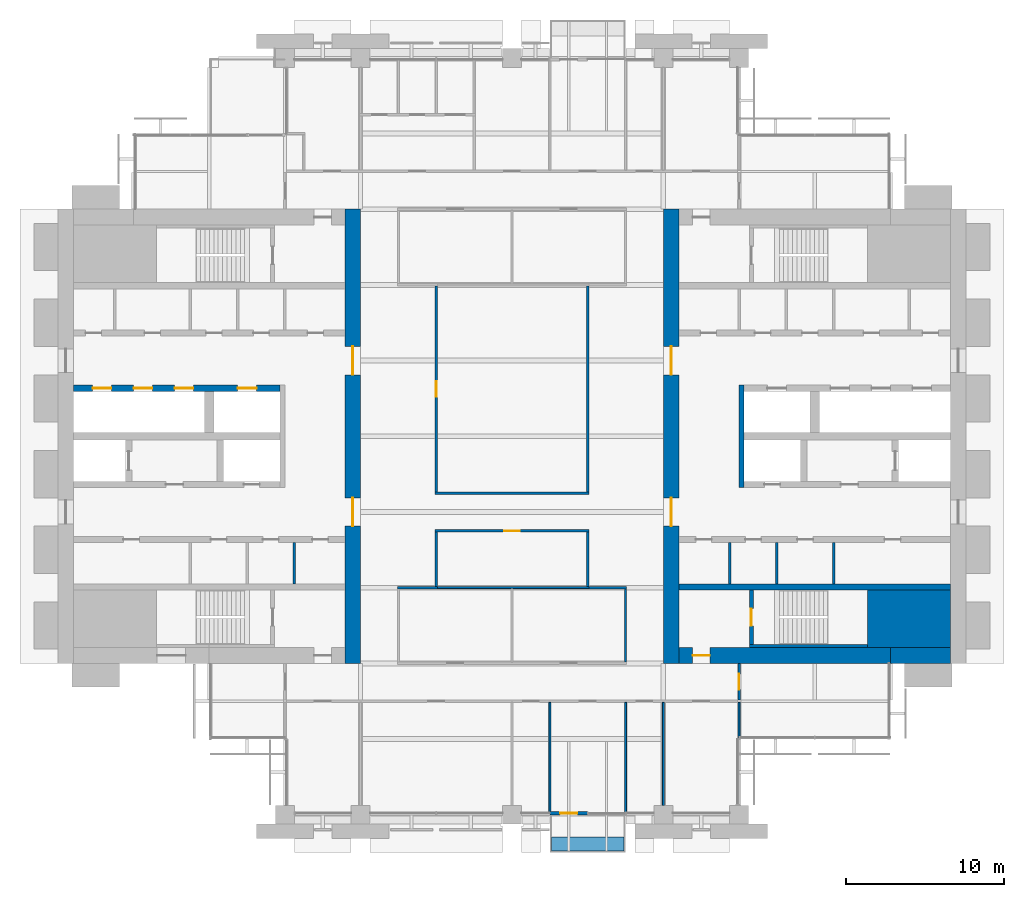
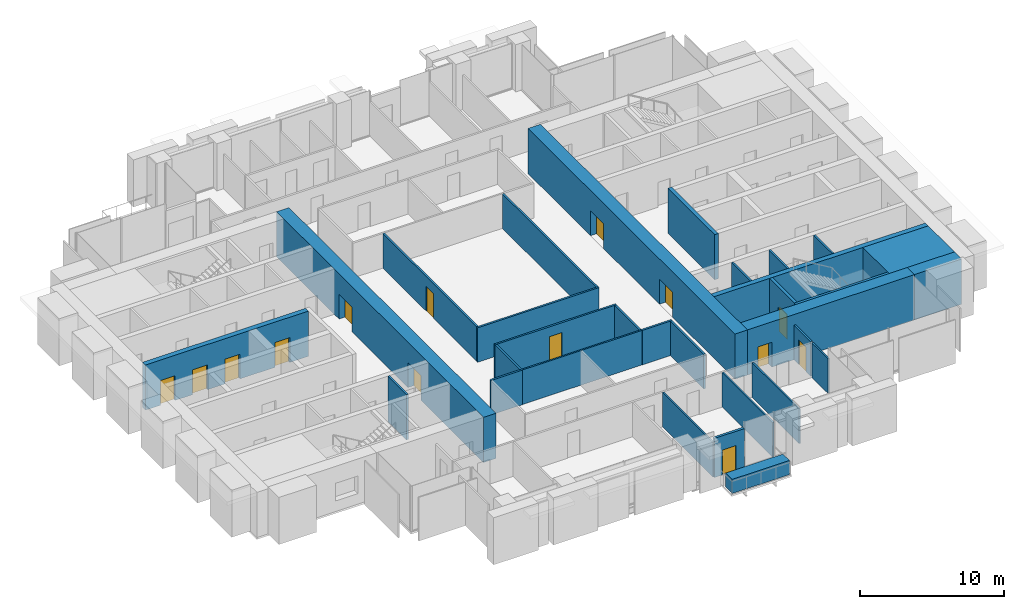
# One storey, part 10 of 15: 31 walls, 14 doors, 14 openings.
"""IFC4 building model written with IfcOpenShell, lengths in metres."""

from ifc_helpers import new_model, si_unit, direction, frame, frame_2d, origin, place, context, subcontext, project, spatial, rectangle, extrude, material, layer, layer_set, type_object, element, fill, save


model = new_model("IFC4")

# Units and contexts
model_context = context("Model", 3, precision=1e-05, world=origin(), true_north=direction((0.0, 1.0)))
body_context = subcontext(model_context, "Body", "Model", "MODEL_VIEW")
ifc_project = project(units=[si_unit("LENGTHUNIT", "METRE"), si_unit("AREAUNIT", "SQUARE_METRE"), si_unit("VOLUMEUNIT", "CUBIC_METRE"), si_unit("PLANEANGLEUNIT", "RADIAN"), si_unit("MASSUNIT", "GRAM", prefix="KILO")], contexts=[model_context])

# Site, building, storey
site_placement = place(None, origin())
site = spatial("IfcSite", under=ifc_project, at=site_placement, CompositionType="ELEMENT")
building_placement = place(site_placement, origin())
building = spatial("IfcBuilding", under=site, at=building_placement, Name="Baori Bourse Tower", CompositionType="ELEMENT")
storey_placement = place(building_placement, frame((0.0, 0.0, 116.10009765625)))
storey = spatial("IfcBuildingStorey", under=building, at=storey_placement, Name="L24", CompositionType="ELEMENT", Elevation=116.10009765625)

# Walls
ifc_material_1 = material(Name="Concrete f'c 60 MPa", Category="concrete")
wall_type_1 = type_object("IfcWallType", Name="Core corner block f'c 60", PredefinedType="SHEAR", material=ifc_material_1)
wall_1_placement = place(storey_placement, frame((51.35009765625, 12.425048828125, 0.0), z_axis=(0.0, 0.0, 1.0), x_axis=(1.0, 0.0, 0.0)))
element("IfcWall", 1, at=wall_1_placement, inside=storey, type_object=wall_type_1, Name="Core wall E05", PredefinedType="SHEAR", context=body_context, shape_type="SweptSolid", body=[
    extrude(rectangle(XDim=5.25, YDim=3.64990234375, at=frame_2d((2.625, 0.0))), origin(), (0.0, 0.0, 1.0), 3.83984375),
])
ifc_material_2 = material(Name="Blockwork partition", Category="masonry")
ifc_layer_1 = layer(ifc_material_2, 0.14990234375)
ifc_layer_set_1 = layer_set([ifc_layer_1], Name="Core partition 150")
wall_type_2 = type_object("IfcWallType", Name="Core partition 150", PredefinedType="PARTITIONING", material=ifc_layer_set_1)
for number, where, z_axis, x_axis, name in (
    (2, (15.0, 14.64990234375, 0.0), (0.0, 0.0, 1.0), (0.0, 1.0, 0.0), "Partition wall W12"),
    (3, (49.199951171875, 14.64990234375, 0.0), (0.0, 0.0, 1.0), (0.0, 1.0, 0.0), "Partition wall E09"),
    (4, (45.60009765625, 14.64990234375, 0.0), (0.0, 0.0, 1.0), (0.0, 1.0, 0.0), "Partition wall E10"),
    (5, (42.60009765625, 14.64990234375, 0.0), (0.0, 0.0, 1.0), (0.0, 1.0, 0.0), "Partition wall E11"),
):
    element("IfcWall", number, at=place(storey_placement, frame(where, z_axis=z_axis, x_axis=x_axis)), inside=storey, type_object=wall_type_2, Name=name, PredefinedType="PARTITIONING", context=body_context, shape_type="SweptSolid", body=[
        extrude(rectangle(XDim=2.60009765625, YDim=0.14990234375, at=frame_2d((1.300048828125, 0.0))), origin(), (0.0, 0.0, 1.0), 3.83984375),
    ])

# Wall, openings, doors
ifc_material_3 = material(Name="Concrete f'c 60 MPa", Category="concrete")
ifc_layer_2 = layer(ifc_material_3, 1.0)
ifc_layer_set_2 = layer_set([ifc_layer_2], Name="Core wall 1000 f'c 60")
wall_type_3 = type_object("IfcWallType", Name="Core wall 1000 f'c 60", PredefinedType="SHEAR", material=ifc_layer_set_2)
wall_2_placement = place(storey_placement, frame((18.699951171875, 38.39990234375, 0.0), z_axis=(0.0, 0.0, 1.0), x_axis=(0.0, -1.0, 0.0)))
wall_2 = element("IfcWall", 6, at=wall_2_placement, inside=storey, type_object=wall_type_3, Name="Core wall W04", PredefinedType="SHEAR", context=body_context, shape_type="SweptSolid", body=[
    extrude(rectangle(XDim=28.7998046875, YDim=1.0, at=frame_2d((14.39990234375, 0.0))), origin(), (0.0, 0.0, 1.0), 3.83984375),
])
opening_1_placement = place(wall_2_placement, frame((18.300048828125, 0.0, 0.0)))
opening_1 = element("IfcOpeningElement", 7, at=opening_1_placement, cuts=wall_2, Name="Opening L24-D107", PredefinedType="OPENING", context=body_context, shape_type="SweptSolid", body=[
    extrude(rectangle(XDim=1.800048828125, YDim=2.10009765625, at=frame_2d((0.89990234375, 1.050048828125))), frame((0.0, 0.510009765625, 0.0), z_axis=(0.0, -1.0, 0.0), x_axis=(1.0, 0.0, 0.0)), (0.0, 0.0, 1.0), 1.02001953125),
])
opening_2_placement = place(wall_2_placement, frame((8.699951171875, 0.0, 0.0)))
opening_2 = element("IfcOpeningElement", 8, at=opening_2_placement, cuts=wall_2, Name="Opening L24-D108", PredefinedType="OPENING", context=body_context, shape_type="SweptSolid", body=[
    extrude(rectangle(XDim=1.800048828125, YDim=2.10009765625, at=frame_2d((0.89990234375, 1.050048828125))), frame((0.0, 0.510009765625, 0.0), z_axis=(0.0, -1.0, 0.0), x_axis=(1.0, 0.0, 0.0)), (0.0, 0.0, 1.0), 1.02001953125),
])
ifc_material_4 = material(Name="Painted steel door", Category="steel")
door_type_1 = type_object("IfcDoorType", Name="Core lobby door 1800", OperationType="DOUBLE_DOOR_SINGLE_SWING", PredefinedType="DOOR", material=ifc_material_4)
door_1_placement = place(opening_1_placement, origin())
door_1 = element("IfcDoor", 9, at=door_1_placement, inside=storey, type_object=door_type_1, Name="Lobby door W L24", OperationType="DOUBLE_DOOR_SINGLE_SWING", OverallHeight=2.10009765625, OverallWidth=1.800048828125, PredefinedType="DOOR", context=body_context, shape_type="SweptSolid", body=[
    extrude(rectangle(XDim=1.800048828125, YDim=2.10009765625, at=frame_2d((0.89990234375, 1.050048828125))), frame((0.0, 0.02490234375, 0.0), z_axis=(0.0, -1.0, 0.0), x_axis=(1.0, 0.0, 0.0)), (0.0, 0.0, 1.0), 0.050048828125),
])
fill(opening_1, door_1)
door_2_placement = place(opening_2_placement, origin())
door_2 = element("IfcDoor", 10, at=door_2_placement, inside=storey, type_object=door_type_1, Name="Lobby door W L24", OperationType="DOUBLE_DOOR_SINGLE_SWING", OverallHeight=2.10009765625, OverallWidth=1.800048828125, PredefinedType="DOOR", context=body_context, shape_type="SweptSolid", body=[
    extrude(rectangle(XDim=1.800048828125, YDim=2.10009765625, at=frame_2d((0.89990234375, 1.050048828125))), frame((0.0, 0.02490234375, 0.0), z_axis=(0.0, -1.0, 0.0), x_axis=(1.0, 0.0, 0.0)), (0.0, 0.0, 1.0), 0.050048828125),
])
fill(opening_2, door_2)

# Wall
wall_3_placement = place(storey_placement, frame((56.60009765625, 10.10009765625, 0.0), z_axis=(0.0, 0.0, 1.0), x_axis=(-1.0, 0.0, 0.0)))
element("IfcWall", 11, at=wall_3_placement, inside=storey, type_object=wall_type_3, Name="Core wall E02", PredefinedType="SHEAR", context=body_context, shape_type="SweptSolid", body=[
    extrude(rectangle(XDim=3.800048828125, YDim=1.0, at=frame_2d((1.89990234375, 0.0))), origin(), (0.0, 0.0, 1.0), 3.83984375),
])

# Wall, opening, door
wall_4_placement = place(storey_placement, frame((52.800048828125, 10.10009765625, 0.0), z_axis=(0.0, 0.0, 1.0), x_axis=(-1.0, 0.0, 0.0)))
wall_4 = element("IfcWall", 12, at=wall_4_placement, inside=storey, type_object=wall_type_3, Name="Core wall E03", PredefinedType="SHEAR", context=body_context, shape_type="SweptSolid", body=[
    extrude(rectangle(XDim=13.400146484375, YDim=1.0, at=frame_2d((6.7001953125, 0.0))), origin(), (0.0, 0.0, 1.0), 3.83984375),
])
opening_3_placement = place(wall_4_placement, frame((11.449951171875, 0.0, 0.0)))
opening_3 = element("IfcOpeningElement", 13, at=opening_3_placement, cuts=wall_4, Name="Opening L24-D202", PredefinedType="OPENING", context=body_context, shape_type="SweptSolid", body=[
    extrude(rectangle(XDim=1.10009765625, YDim=2.10009765625, at=frame_2d((0.550048828125, 1.050048828125))), frame((0.0, 0.510009765625, 0.0), z_axis=(0.0, -1.0, 0.0), x_axis=(1.0, 0.0, 0.0)), (0.0, 0.0, 1.0), 1.02001953125),
])
ifc_material_5 = material(Name="Painted steel door", Category="steel")
door_type_2 = type_object("IfcDoorType", Name="Stair door 1100", OperationType="SINGLE_SWING_LEFT", PredefinedType="DOOR", material=ifc_material_5)
door_3_placement = place(opening_3_placement, origin())
door_3 = element("IfcDoor", 14, at=door_3_placement, inside=storey, type_object=door_type_2, Name="Stair vestibule door A E L24", OperationType="SINGLE_SWING_LEFT", OverallHeight=2.10009765625, OverallWidth=1.10009765625, PredefinedType="DOOR", context=body_context, shape_type="SweptSolid", body=[
    extrude(rectangle(XDim=1.10009765625, YDim=2.10009765625, at=frame_2d((0.550048828125, 1.050048828125))), frame((0.0, 0.02490234375, 0.0), z_axis=(0.0, -1.0, 0.0), x_axis=(1.0, 0.0, 0.0)), (0.0, 0.0, 1.0), 0.050048828125),
])
fill(opening_3, door_3)

# Wall, openings, doors
wall_5_placement = place(storey_placement, frame((38.89990234375, 9.60009765625, 0.0), z_axis=(0.0, 0.0, 1.0), x_axis=(0.0, 1.0, 0.0)))
wall_5 = element("IfcWall", 15, at=wall_5_placement, inside=storey, type_object=wall_type_3, Name="Core wall E04", PredefinedType="SHEAR", context=body_context, shape_type="SweptSolid", body=[
    extrude(rectangle(XDim=28.7998046875, YDim=1.0, at=frame_2d((14.39990234375, 0.0))), origin(), (0.0, 0.0, 1.0), 3.83984375),
])
opening_4_placement = place(wall_5_placement, frame((8.699951171875, 0.0, 0.0)))
opening_4 = element("IfcOpeningElement", 16, at=opening_4_placement, cuts=wall_5, Name="Opening L24-D207", PredefinedType="OPENING", context=body_context, shape_type="SweptSolid", body=[
    extrude(rectangle(XDim=1.800048828125, YDim=2.10009765625, at=frame_2d((0.89990234375, 1.050048828125))), frame((0.0, 0.510009765625, 0.0), z_axis=(0.0, -1.0, 0.0), x_axis=(1.0, 0.0, 0.0)), (0.0, 0.0, 1.0), 1.02001953125),
])
opening_5_placement = place(wall_5_placement, frame((18.300048828125, 0.0, 0.0)))
opening_5 = element("IfcOpeningElement", 17, at=opening_5_placement, cuts=wall_5, Name="Opening L24-D208", PredefinedType="OPENING", context=body_context, shape_type="SweptSolid", body=[
    extrude(rectangle(XDim=1.800048828125, YDim=2.10009765625, at=frame_2d((0.89990234375, 1.050048828125))), frame((0.0, 0.510009765625, 0.0), z_axis=(0.0, -1.0, 0.0), x_axis=(1.0, 0.0, 0.0)), (0.0, 0.0, 1.0), 1.02001953125),
])
door_4_placement = place(opening_4_placement, origin())
door_4 = element("IfcDoor", 18, at=door_4_placement, inside=storey, type_object=door_type_1, Name="Lobby door E L24", OperationType="DOUBLE_DOOR_SINGLE_SWING", OverallHeight=2.10009765625, OverallWidth=1.800048828125, PredefinedType="DOOR", context=body_context, shape_type="SweptSolid", body=[
    extrude(rectangle(XDim=1.800048828125, YDim=2.10009765625, at=frame_2d((0.89990234375, 1.050048828125))), frame((0.0, 0.02490234375, 0.0), z_axis=(0.0, -1.0, 0.0), x_axis=(1.0, 0.0, 0.0)), (0.0, 0.0, 1.0), 0.050048828125),
])
fill(opening_4, door_4)
door_5_placement = place(opening_5_placement, origin())
door_5 = element("IfcDoor", 19, at=door_5_placement, inside=storey, type_object=door_type_1, Name="Lobby door E L24", OperationType="DOUBLE_DOOR_SINGLE_SWING", OverallHeight=2.10009765625, OverallWidth=1.800048828125, PredefinedType="DOOR", context=body_context, shape_type="SweptSolid", body=[
    extrude(rectangle(XDim=1.800048828125, YDim=2.10009765625, at=frame_2d((0.89990234375, 1.050048828125))), frame((0.0, 0.02490234375, 0.0), z_axis=(0.0, -1.0, 0.0), x_axis=(1.0, 0.0, 0.0)), (0.0, 0.0, 1.0), 0.050048828125),
])
fill(opening_5, door_5)

# Walls
ifc_material_6 = material(Name="Gypsum board partition")
ifc_layer_3 = layer(ifc_material_6, 0.14990234375)
ifc_layer_set_3 = layer_set([ifc_layer_3], Name="Corridor partition 150")
wall_type_4 = type_object("IfcWallType", Name="Corridor partition 150", PredefinedType="PARTITIONING", material=ifc_layer_set_3)
wall_6_placement = place(storey_placement, frame((21.52490234375, 14.39990234375, 0.0), z_axis=(0.0, 0.0, 1.0), x_axis=(1.0, 0.0, 0.0)))
element("IfcWall", 20, at=wall_6_placement, inside=storey, type_object=wall_type_4, Name="Partition", PredefinedType="PARTITIONING", context=body_context, shape_type="SweptSolid", body=[
    extrude(rectangle(XDim=2.550048828125, YDim=0.14990234375, at=frame_2d((1.27490234375, 0.0))), origin(), (0.0, 0.0, 1.0), 2.935546875),
])
wall_7_placement = place(storey_placement, frame((33.675048828125, 14.39990234375, 0.0), z_axis=(0.0, 0.0, 1.0), x_axis=(1.0, 0.0, 0.0)))
element("IfcWall", 21, at=wall_7_placement, inside=storey, type_object=wall_type_4, Name="Partition", PredefinedType="PARTITIONING", context=body_context, shape_type="SweptSolid", body=[
    extrude(rectangle(XDim=2.39990234375, YDim=0.14990234375, at=frame_2d((1.199951171875, 0.0))), origin(), (0.0, 0.0, 1.0), 2.935546875),
])

# Wall, opening, door
wall_8_placement = place(storey_placement, frame((23.925048828125, 18.0, 0.0), z_axis=(0.0, 0.0, 1.0), x_axis=(1.0, 0.0, 0.0)))
wall_8 = element("IfcWall", 22, at=wall_8_placement, inside=storey, type_object=wall_type_4, Name="Partition", PredefinedType="PARTITIONING", context=body_context, shape_type="SweptSolid", body=[
    extrude(rectangle(XDim=9.75, YDim=0.14990234375, at=frame_2d((4.875, 0.0))), origin(), (0.0, 0.0, 1.0), 2.935546875),
])
opening_6_placement = place(wall_8_placement, frame((4.375, 0.0, 0.0)))
opening_6 = element("IfcOpeningElement", 23, at=opening_6_placement, cuts=wall_8, Name="Opening L24-D09", PredefinedType="OPENING", context=body_context, shape_type="SweptSolid", body=[
    extrude(rectangle(XDim=1.0, YDim=2.10009765625, at=frame_2d((0.5, 1.050048828125))), frame((0.0, 0.0849609375, 0.0), z_axis=(0.0, -1.0, 0.0), x_axis=(1.0, 0.0, 0.0)), (0.0, 0.0, 1.0), 0.169921875),
])
ifc_material_7 = material(Name="Timber door leaf", Category="wood")
door_type_3 = type_object("IfcDoorType", Name="Door 1000 x 2100", OperationType="SINGLE_SWING_LEFT", PredefinedType="DOOR", material=ifc_material_7)
door_6_placement = place(opening_6_placement, origin())
door_6 = element("IfcDoor", 24, at=door_6_placement, inside=storey, type_object=door_type_3, Name="Door", OperationType="SINGLE_SWING_RIGHT", OverallHeight=2.10009765625, OverallWidth=1.0, PredefinedType="DOOR", context=body_context, shape_type="SweptSolid", body=[
    extrude(rectangle(XDim=1.0, YDim=2.10009765625, at=frame_2d((0.5, 1.050048828125))), frame((0.0, 0.02490234375, 0.0), z_axis=(0.0, -1.0, 0.0), x_axis=(1.0, 0.0, 0.0)), (0.0, 0.0, 1.0), 0.050048828125),
])
fill(opening_6, door_6)

# Walls
wall_9_placement = place(storey_placement, frame((23.925048828125, 20.39990234375, 0.0), z_axis=(0.0, 0.0, 1.0), x_axis=(1.0, 0.0, 0.0)))
element("IfcWall", 25, at=wall_9_placement, inside=storey, type_object=wall_type_4, Name="Partition", PredefinedType="PARTITIONING", context=body_context, shape_type="SweptSolid", body=[
    extrude(rectangle(XDim=9.75, YDim=0.14990234375, at=frame_2d((4.875, 0.0))), origin(), (0.0, 0.0, 1.0), 2.935546875),
])
wall_10_placement = place(storey_placement, frame((24.0, 14.47509765625, 0.0), z_axis=(0.0, 0.0, 1.0), x_axis=(0.0, 1.0, 0.0)))
element("IfcWall", 26, at=wall_10_placement, inside=storey, type_object=wall_type_4, Name="Partition", PredefinedType="PARTITIONING", context=body_context, shape_type="SweptSolid", body=[
    extrude(rectangle(XDim=3.449951171875, YDim=0.14990234375, at=frame_2d((1.72509765625, 0.0))), origin(), (0.0, 0.0, 1.0), 2.935546875),
])

# Wall, opening, door
wall_11_placement = place(storey_placement, frame((24.0, 20.47509765625, 0.0), z_axis=(0.0, 0.0, 1.0), x_axis=(0.0, 1.0, 0.0)))
wall_11 = element("IfcWall", 27, at=wall_11_placement, inside=storey, type_object=wall_type_4, Name="Partition", PredefinedType="PARTITIONING", context=body_context, shape_type="SweptSolid", body=[
    extrude(rectangle(XDim=13.0498046875, YDim=0.14990234375, at=frame_2d((6.52490234375, 0.0))), origin(), (0.0, 0.0, 1.0), 2.935546875),
])
opening_7_placement = place(wall_11_placement, frame((6.02490234375, 0.0, 0.0)))
opening_7 = element("IfcOpeningElement", 28, at=opening_7_placement, cuts=wall_11, Name="Opening L24-D23", PredefinedType="OPENING", context=body_context, shape_type="SweptSolid", body=[
    extrude(rectangle(XDim=1.0, YDim=2.10009765625, at=frame_2d((0.5, 1.050048828125))), frame((0.0, 0.0849609375, 0.0), z_axis=(0.0, -1.0, 0.0), x_axis=(1.0, 0.0, 0.0)), (0.0, 0.0, 1.0), 0.169921875),
])
door_7_placement = place(opening_7_placement, origin())
door_7 = element("IfcDoor", 29, at=door_7_placement, inside=storey, type_object=door_type_3, Name="Door", OperationType="SINGLE_SWING_LEFT", OverallHeight=2.10009765625, OverallWidth=1.0, PredefinedType="DOOR", context=body_context, shape_type="SweptSolid", body=[
    extrude(rectangle(XDim=1.0, YDim=2.10009765625, at=frame_2d((0.5, 1.050048828125))), frame((0.0, 0.02490234375, 0.0), z_axis=(0.0, -1.0, 0.0), x_axis=(1.0, 0.0, 0.0)), (0.0, 0.0, 1.0), 0.050048828125),
])
fill(opening_7, door_7)

# Walls
wall_12_placement = place(storey_placement, frame((33.60009765625, 14.47509765625, 0.0), z_axis=(0.0, 0.0, 1.0), x_axis=(0.0, 1.0, 0.0)))
element("IfcWall", 30, at=wall_12_placement, inside=storey, type_object=wall_type_4, Name="Partition", PredefinedType="PARTITIONING", context=body_context, shape_type="SweptSolid", body=[
    extrude(rectangle(XDim=3.449951171875, YDim=0.14990234375, at=frame_2d((1.72509765625, 0.0))), origin(), (0.0, 0.0, 1.0), 2.935546875),
])
wall_13_placement = place(storey_placement, frame((33.60009765625, 20.47509765625, 0.0), z_axis=(0.0, 0.0, 1.0), x_axis=(0.0, 1.0, 0.0)))
element("IfcWall", 31, at=wall_13_placement, inside=storey, type_object=wall_type_4, Name="Partition", PredefinedType="PARTITIONING", context=body_context, shape_type="SweptSolid", body=[
    extrude(rectangle(XDim=13.0498046875, YDim=0.14990234375, at=frame_2d((6.52490234375, 0.0))), origin(), (0.0, 0.0, 1.0), 2.935546875),
])
wall_14_placement = place(storey_placement, frame((36.0, 9.675048828125, 0.0), z_axis=(0.0, 0.0, 1.0), x_axis=(0.0, 1.0, 0.0)))
element("IfcWall", 32, at=wall_14_placement, inside=storey, type_object=wall_type_4, Name="Partition", PredefinedType="PARTITIONING", context=body_context, shape_type="SweptSolid", body=[
    extrude(rectangle(XDim=4.64990234375, YDim=0.14990234375, at=frame_2d((2.324951171875, 0.0))), origin(), (0.0, 0.0, 1.0), 2.935546875),
])

# Wall, opening, door
wall_15_placement = place(storey_placement, frame((43.199951171875, 7.27490234375, 0.0), z_axis=(0.0, 0.0, 1.0), x_axis=(0.0, 1.0, 0.0)))
wall_15 = element("IfcWall", 33, at=wall_15_placement, inside=storey, type_object=wall_type_4, Name="Partition", PredefinedType="PARTITIONING", context=body_context, shape_type="SweptSolid", body=[
    extrude(rectangle(XDim=2.3251953125, YDim=0.14990234375, at=frame_2d((1.16259765625, 0.0))), origin(), (0.0, 0.0, 1.0), 2.935546875),
])
opening_8_placement = place(wall_15_placement, frame((0.66259765625, 0.0, 0.0)))
opening_8 = element("IfcOpeningElement", 34, at=opening_8_placement, cuts=wall_15, Name="Opening L24-D24", PredefinedType="OPENING", context=body_context, shape_type="SweptSolid", body=[
    extrude(rectangle(XDim=1.0, YDim=2.10009765625, at=frame_2d((0.5, 1.050048828125))), frame((0.0, 0.0849609375, 0.0), z_axis=(0.0, -1.0, 0.0), x_axis=(1.0, 0.0, 0.0)), (0.0, 0.0, 1.0), 0.169921875),
])
door_8_placement = place(opening_8_placement, origin())
door_8 = element("IfcDoor", 35, at=door_8_placement, inside=storey, type_object=door_type_3, Name="Door", OperationType="SINGLE_SWING_LEFT", OverallHeight=2.10009765625, OverallWidth=1.0, PredefinedType="DOOR", context=body_context, shape_type="SweptSolid", body=[
    extrude(rectangle(XDim=1.0, YDim=2.10009765625, at=frame_2d((0.5, 1.050048828125))), frame((0.0, 0.02490234375, 0.0), z_axis=(0.0, -1.0, 0.0), x_axis=(1.0, 0.0, 0.0)), (0.0, 0.0, 1.0), 0.050048828125),
])
fill(opening_8, door_8)

ifc_material_8 = material(Name="Pale anodised aluminium", Category="aluminium")
ifc_layer_4 = layer(ifc_material_8, 0.199951171875)
ifc_layer_set_4 = layer_set([ifc_layer_4], Name="EW1 External wall bay")
wall_type_5 = type_object("IfcWallType", Name="EW1 External wall bay", PredefinedType="SOLIDWALL", material=ifc_layer_set_4)
wall_16_placement = place(storey_placement, frame((31.199951171875, 0.10009765625, 0.0), z_axis=(0.0, 0.0, 1.0), x_axis=(1.0, 0.0, 0.0)))
wall_16 = element("IfcWall", 36, at=wall_16_placement, inside=storey, type_object=wall_type_5, Name="External wall bay L24 3", PredefinedType="SOLIDWALL", context=body_context, shape_type="SweptSolid", body=[
    extrude(rectangle(XDim=2.400146484375, YDim=0.199951171875, at=frame_2d((1.2001953125, 0.0))), origin(), (0.0, 0.0, 1.0), 3.314208984375),
])
opening_9_placement = place(wall_16_placement, frame((0.64990234375, 0.0, 0.0)))
opening_9 = element("IfcOpeningElement", 37, at=opening_9_placement, cuts=wall_16, Name="Opening L24-D93", PredefinedType="OPENING", context=body_context, shape_type="SweptSolid", body=[
    extrude(rectangle(XDim=1.10009765625, YDim=2.10009765625, at=frame_2d((0.550048828125, 1.050048828125))), frame((0.0, 0.10986328125, 0.0), z_axis=(0.0, -1.0, 0.0), x_axis=(1.0, 0.0, 0.0)), (0.0, 0.0, 1.0), 0.219970703125),
])
ifc_material_9 = material(Name="Pale anodised aluminium", Category="aluminium")
door_type_4 = type_object("IfcDoorType", Name="BL1 Balcony door", OperationType="SINGLE_SWING_LEFT", PredefinedType="DOOR", material=ifc_material_9)
door_9_placement = place(opening_9_placement, origin())
door_9 = element("IfcDoor", 38, at=door_9_placement, inside=storey, type_object=door_type_4, Name="Balcony door L24 3", OperationType="SINGLE_SWING_LEFT", OverallHeight=2.10009765625, OverallWidth=1.10009765625, PredefinedType="DOOR", context=body_context, shape_type="SweptSolid", body=[
    extrude(rectangle(XDim=1.10009765625, YDim=2.10009765625, at=frame_2d((0.550048828125, 1.050048828125))), frame((0.0, 0.02490234375, 0.0), z_axis=(0.0, -1.0, 0.0), x_axis=(1.0, 0.0, 0.0)), (0.0, 0.0, 1.0), 0.050048828125),
])
fill(opening_9, door_9)

# Walls
ifc_material_10 = material(Name="Concrete f'c 40 MPa", Category="concrete")
ifc_layer_5 = layer(ifc_material_10, 0.89990234375)
ifc_layer_set_5 = layer_set([ifc_layer_5], Name="PW1 Planter wall")
wall_type_6 = type_object("IfcWallType", Name="PW1 Planter wall", PredefinedType="USERDEFINED", material=ifc_layer_set_5)
wall_17_placement = place(storey_placement, frame((31.300048828125, -1.85009765625, 0.0), z_axis=(0.0, 0.0, 1.0), x_axis=(1.0, 0.0, 0.0)))
element("IfcWall", 39, at=wall_17_placement, inside=storey, type_object=wall_type_6, Name="Planter balcony S L24 1", ObjectType="PLANTER", PredefinedType="USERDEFINED", context=body_context, shape_type="SweptSolid", body=[
    extrude(rectangle(XDim=4.599853515625, YDim=0.89990234375, at=frame_2d((2.2998046875, 0.0))), origin(), (0.0, 0.0, 1.0), 1.199951171875),
])
ifc_material_11 = material(Name="Gypsum board partition")
ifc_layer_6 = layer(ifc_material_11, 0.125)
ifc_layer_set_6 = layer_set([ifc_layer_6], Name="Partition 125")
wall_type_7 = type_object("IfcWallType", Name="Partition 125", PredefinedType="PARTITIONING", material=ifc_layer_set_6)
wall_18_placement = place(storey_placement, frame((24.074951171875, 14.39990234375, 0.0), z_axis=(0.0, 0.0, 1.0), x_axis=(1.0, 0.0, 0.0)))
element("IfcWall", 40, at=wall_18_placement, inside=storey, type_object=wall_type_7, Name="Partition", PredefinedType="PARTITIONING", context=body_context, shape_type="SweptSolid", body=[
    extrude(rectangle(XDim=9.60009765625, YDim=0.125, at=frame_2d((4.800048828125, 0.0))), origin(), (0.0, 0.0, 1.0), 2.935546875),
])
for number, where, z_axis, x_axis, name in (
    (41, (31.199951171875, 0.10009765625, 0.0), (0.0, 0.0, 1.0), (0.0, 1.0, 0.0), "Partition"),
    (42, (36.0, 0.10009765625, 0.0), (0.0, 0.0, 1.0), (0.0, 1.0, 0.0), "Partition"),
):
    element("IfcWall", number, at=place(storey_placement, frame(where, z_axis=z_axis, x_axis=x_axis)), inside=storey, type_object=wall_type_7, Name=name, PredefinedType="PARTITIONING", context=body_context, shape_type="SweptSolid", body=[
        extrude(rectangle(XDim=7.02490234375, YDim=0.125, at=frame_2d((3.512451171875, 0.0))), origin(), (0.0, 0.0, 1.0), 2.935546875),
    ])
wall_19_placement = place(storey_placement, frame((38.39990234375, 0.60009765625, 0.0), z_axis=(0.0, 0.0, 1.0), x_axis=(0.0, 1.0, 0.0)))
element("IfcWall", 43, at=wall_19_placement, inside=storey, type_object=wall_type_7, Name="Partition", PredefinedType="PARTITIONING", context=body_context, shape_type="SweptSolid", body=[
    extrude(rectangle(XDim=6.52490234375, YDim=0.125, at=frame_2d((3.262451171875, 0.0))), origin(), (0.0, 0.0, 1.0), 2.935546875),
])
wall_20_placement = place(storey_placement, frame((43.199951171875, 4.89990234375, 0.0), z_axis=(0.0, 0.0, 1.0), x_axis=(0.0, 1.0, 0.0)))
element("IfcWall", 44, at=wall_20_placement, inside=storey, type_object=wall_type_7, Name="Partition", PredefinedType="PARTITIONING", context=body_context, shape_type="SweptSolid", body=[
    extrude(rectangle(XDim=2.22509765625, YDim=0.125, at=frame_2d((1.112548828125, 0.0))), origin(), (0.0, 0.0, 1.0), 2.935546875),
])
ifc_material_12 = material(Name="Concrete f'c 60 MPa", Category="concrete")
ifc_layer_7 = layer(ifc_material_12, 0.199951171875)
ifc_layer_set_7 = layer_set([ifc_layer_7], Name="Shaft wall 200 f'c 60")
wall_type_8 = type_object("IfcWallType", Name="Shaft wall 200 f'c 60", PredefinedType="SHEAR", material=ifc_layer_set_7)
wall_21_placement = place(storey_placement, frame((43.85009765625, 10.699951171875, 0.0), z_axis=(0.0, 0.0, 1.0), x_axis=(1.0, 0.0, 0.0)))
element("IfcWall", 45, at=wall_21_placement, inside=storey, type_object=wall_type_8, Name="Core wall E06", PredefinedType="SHEAR", context=body_context, shape_type="SweptSolid", body=[
    extrude(rectangle(XDim=7.5, YDim=0.199951171875, at=frame_2d((3.75, 0.0))), origin(), (0.0, 0.0, 1.0), 3.83984375),
])

# Wall, opening, door
ifc_material_13 = material(Name="Concrete f'c 60 MPa", Category="concrete")
ifc_layer_8 = layer(ifc_material_13, 0.25)
ifc_layer_set_8 = layer_set([ifc_layer_8], Name="Shaft wall 250 f'c 60")
wall_type_9 = type_object("IfcWallType", Name="Shaft wall 250 f'c 60", PredefinedType="SHEAR", material=ifc_layer_set_8)
wall_22_placement = place(storey_placement, frame((43.97509765625, 10.800048828125, 0.0), z_axis=(0.0, 0.0, 1.0), x_axis=(0.0, 1.0, 0.0)))
wall_22 = element("IfcWall", 46, at=wall_22_placement, inside=storey, type_object=wall_type_9, Name="Core wall E07", PredefinedType="SHEAR", context=body_context, shape_type="SweptSolid", body=[
    extrude(rectangle(XDim=3.449951171875, YDim=0.25, at=frame_2d((1.72509765625, 0.0))), origin(), (0.0, 0.0, 1.0), 3.83984375),
])
opening_10_placement = place(wall_22_placement, frame((1.175048828125, 0.0, 0.0)))
opening_10 = element("IfcOpeningElement", 47, at=opening_10_placement, cuts=wall_22, Name="Opening L24-D201", PredefinedType="OPENING", context=body_context, shape_type="SweptSolid", body=[
    extrude(rectangle(XDim=1.10009765625, YDim=2.10009765625, at=frame_2d((0.550048828125, 1.050048828125))), frame((0.0, 0.135009765625, 0.0), z_axis=(0.0, -1.0, 0.0), x_axis=(1.0, 0.0, 0.0)), (0.0, 0.0, 1.0), 0.27001953125),
])
door_10_placement = place(opening_10_placement, origin())
door_10 = element("IfcDoor", 48, at=door_10_placement, inside=storey, type_object=door_type_2, Name="Stair door A E L24", OperationType="SINGLE_SWING_LEFT", OverallHeight=2.10009765625, OverallWidth=1.10009765625, PredefinedType="DOOR", context=body_context, shape_type="SweptSolid", body=[
    extrude(rectangle(XDim=1.10009765625, YDim=2.10009765625, at=frame_2d((0.550048828125, 1.050048828125))), frame((0.0, 0.02490234375, 0.0), z_axis=(0.0, -1.0, 0.0), x_axis=(1.0, 0.0, 0.0)), (0.0, 0.0, 1.0), 0.050048828125),
])
fill(opening_10, door_10)

# Wall
ifc_material_14 = material(Name="Concrete f'c 60 MPa", Category="concrete")
ifc_layer_9 = layer(ifc_material_14, 0.300048828125)
ifc_layer_set_9 = layer_set([ifc_layer_9], Name="Shaft wall 300 f'c 60")
wall_type_10 = type_object("IfcWallType", Name="Shaft wall 300 f'c 60", PredefinedType="SHEAR", material=ifc_layer_set_9)
wall_23_placement = place(storey_placement, frame((43.35009765625, 20.75, 0.0), z_axis=(0.0, 0.0, 1.0), x_axis=(0.0, 1.0, 0.0)))
element("IfcWall", 49, at=wall_23_placement, inside=storey, type_object=wall_type_10, Name="Core wall E14", PredefinedType="SHEAR", context=body_context, shape_type="SweptSolid", body=[
    extrude(rectangle(XDim=6.5, YDim=0.300048828125, at=frame_2d((3.25, 0.0))), origin(), (0.0, 0.0, 1.0), 3.83984375),
])

# Wall, openings, doors
ifc_material_15 = material(Name="Concrete f'c 60 MPa", Category="concrete")
ifc_layer_10 = layer(ifc_material_15, 0.39990234375)
ifc_layer_set_10 = layer_set([ifc_layer_10], Name="Shaft wall 400 f'c 60")
wall_type_11 = type_object("IfcWallType", Name="Shaft wall 400 f'c 60", PredefinedType="SHEAR", material=ifc_layer_set_10)
wall_24_placement = place(storey_placement, frame((1.0, 27.050048828125, 0.0), z_axis=(0.0, 0.0, 1.0), x_axis=(1.0, 0.0, 0.0)))
wall_24 = element("IfcWall", 50, at=wall_24_placement, inside=storey, type_object=wall_type_11, Name="Core wall W20", PredefinedType="SHEAR", context=body_context, shape_type="SweptSolid", body=[
    extrude(rectangle(XDim=13.10009765625, YDim=0.39990234375, at=frame_2d((6.550048828125, 0.0))), origin(), (0.0, 0.0, 1.0), 3.83984375),
])
opening_11_placement = place(wall_24_placement, frame((1.199951171875, 0.0, 0.0)))
opening_11 = element("IfcOpeningElement", 51, at=opening_11_placement, cuts=wall_24, Name="Opening L24-D118", PredefinedType="OPENING", context=body_context, shape_type="SweptSolid", body=[
    extrude(rectangle(XDim=1.199951171875, YDim=2.10009765625, at=frame_2d((0.60009765625, 1.050048828125))), frame((0.0, 0.2099609375, 0.0), z_axis=(0.0, -1.0, 0.0), x_axis=(1.0, 0.0, 0.0)), (0.0, 0.0, 1.0), 0.419921875),
])
opening_12_placement = place(wall_24_placement, frame((3.800048828125, 0.0, 0.0)))
opening_12 = element("IfcOpeningElement", 52, at=opening_12_placement, cuts=wall_24, Name="Opening L24-D119", PredefinedType="OPENING", context=body_context, shape_type="SweptSolid", body=[
    extrude(rectangle(XDim=1.199951171875, YDim=2.10009765625, at=frame_2d((0.60009765625, 1.050048828125))), frame((0.0, 0.2099609375, 0.0), z_axis=(0.0, -1.0, 0.0), x_axis=(1.0, 0.0, 0.0)), (0.0, 0.0, 1.0), 0.419921875),
])
opening_13_placement = place(wall_24_placement, frame((6.39990234375, 0.0, 0.0)))
opening_13 = element("IfcOpeningElement", 53, at=opening_13_placement, cuts=wall_24, Name="Opening L24-D120", PredefinedType="OPENING", context=body_context, shape_type="SweptSolid", body=[
    extrude(rectangle(XDim=1.199951171875, YDim=2.10009765625, at=frame_2d((0.60009765625, 1.050048828125))), frame((0.0, 0.2099609375, 0.0), z_axis=(0.0, -1.0, 0.0), x_axis=(1.0, 0.0, 0.0)), (0.0, 0.0, 1.0), 0.419921875),
])
opening_14_placement = place(wall_24_placement, frame((10.39990234375, 0.0, 0.0)))
opening_14 = element("IfcOpeningElement", 54, at=opening_14_placement, cuts=wall_24, Name="Opening L24-D121", PredefinedType="OPENING", context=body_context, shape_type="SweptSolid", body=[
    extrude(rectangle(XDim=1.199951171875, YDim=2.10009765625, at=frame_2d((0.60009765625, 1.050048828125))), frame((0.0, 0.2099609375, 0.0), z_axis=(0.0, -1.0, 0.0), x_axis=(1.0, 0.0, 0.0)), (0.0, 0.0, 1.0), 0.419921875),
])
ifc_material_16 = material(Name="Stainless steel door", Category="steel")
door_type_5 = type_object("IfcDoorType", Name="Lift landing door", OperationType="DOUBLE_DOOR_SLIDING", PredefinedType="DOOR", material=ifc_material_16)
door_11_placement = place(opening_11_placement, origin())
door_11 = element("IfcDoor", 55, at=door_11_placement, inside=storey, type_object=door_type_5, Name="Lift landing door SH1 W L24", OperationType="DOUBLE_DOOR_SLIDING", OverallHeight=2.10009765625, OverallWidth=1.199951171875, PredefinedType="DOOR", context=body_context, shape_type="SweptSolid", body=[
    extrude(rectangle(XDim=1.199951171875, YDim=2.10009765625, at=frame_2d((0.60009765625, 1.050048828125))), frame((0.0, 0.02490234375, 0.0), z_axis=(0.0, -1.0, 0.0), x_axis=(1.0, 0.0, 0.0)), (0.0, 0.0, 1.0), 0.050048828125),
])
fill(opening_11, door_11)
door_12_placement = place(opening_12_placement, origin())
door_12 = element("IfcDoor", 56, at=door_12_placement, inside=storey, type_object=door_type_5, Name="Lift landing door SH2 W L24", OperationType="DOUBLE_DOOR_SLIDING", OverallHeight=2.10009765625, OverallWidth=1.199951171875, PredefinedType="DOOR", context=body_context, shape_type="SweptSolid", body=[
    extrude(rectangle(XDim=1.199951171875, YDim=2.10009765625, at=frame_2d((0.60009765625, 1.050048828125))), frame((0.0, 0.02490234375, 0.0), z_axis=(0.0, -1.0, 0.0), x_axis=(1.0, 0.0, 0.0)), (0.0, 0.0, 1.0), 0.050048828125),
])
fill(opening_12, door_12)
door_13_placement = place(opening_13_placement, origin())
door_13 = element("IfcDoor", 57, at=door_13_placement, inside=storey, type_object=door_type_5, Name="Lift landing door SH3 W L24", OperationType="DOUBLE_DOOR_SLIDING", OverallHeight=2.10009765625, OverallWidth=1.199951171875, PredefinedType="DOOR", context=body_context, shape_type="SweptSolid", body=[
    extrude(rectangle(XDim=1.199951171875, YDim=2.10009765625, at=frame_2d((0.60009765625, 1.050048828125))), frame((0.0, 0.02490234375, 0.0), z_axis=(0.0, -1.0, 0.0), x_axis=(1.0, 0.0, 0.0)), (0.0, 0.0, 1.0), 0.050048828125),
])
fill(opening_13, door_13)
door_14_placement = place(opening_14_placement, origin())
door_14 = element("IfcDoor", 58, at=door_14_placement, inside=storey, type_object=door_type_5, Name="Lift landing door SV1 W L24", OperationType="DOUBLE_DOOR_SLIDING", OverallHeight=2.10009765625, OverallWidth=1.199951171875, PredefinedType="DOOR", context=body_context, shape_type="SweptSolid", body=[
    extrude(rectangle(XDim=1.199951171875, YDim=2.10009765625, at=frame_2d((0.60009765625, 1.050048828125))), frame((0.0, 0.02490234375, 0.0), z_axis=(0.0, -1.0, 0.0), x_axis=(1.0, 0.0, 0.0)), (0.0, 0.0, 1.0), 0.050048828125),
])
fill(opening_14, door_14)

# Wall
wall_25_placement = place(storey_placement, frame((39.39990234375, 14.449951171875, 0.0), z_axis=(0.0, 0.0, 1.0), x_axis=(1.0, 0.0, 0.0)))
element("IfcWall", 59, at=wall_25_placement, inside=storey, type_object=wall_type_11, Name="Core wall E08", PredefinedType="SHEAR", context=body_context, shape_type="SweptSolid", body=[
    extrude(rectangle(XDim=17.2001953125, YDim=0.39990234375, at=frame_2d((8.60009765625, 0.0))), origin(), (0.0, 0.0, 1.0), 3.83984375),
])

save(model, "model.ifc")
